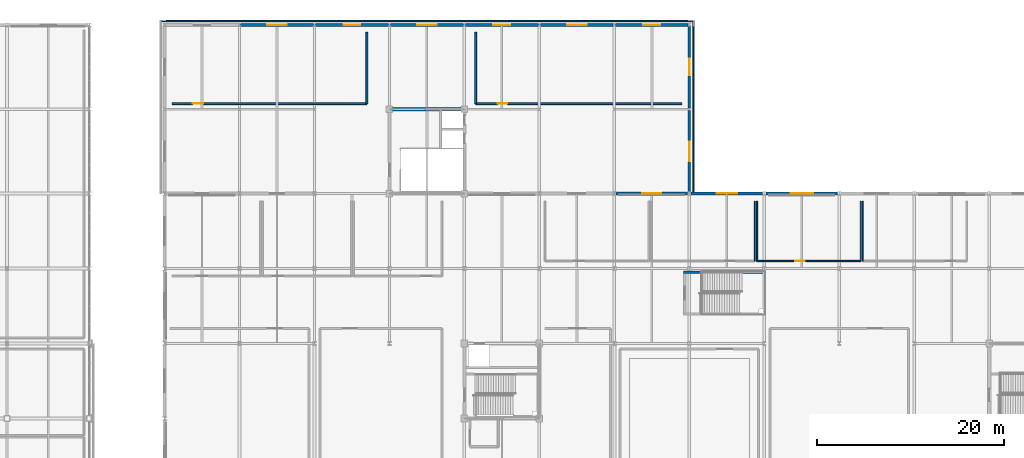
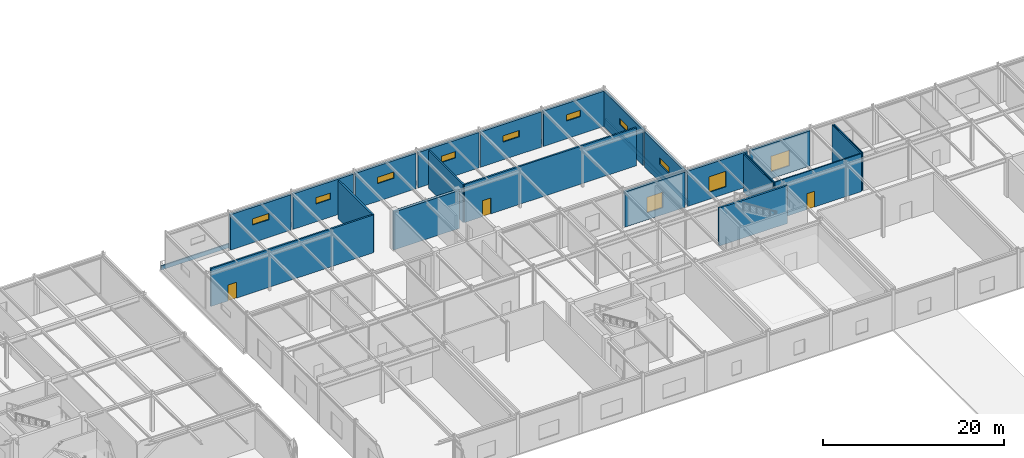
# One storey, part 93 of 108: 24 walls, 11 windows, 3 doors, 14 openings.
"""IFC4 building model written with IfcOpenShell, lengths in metres."""

from ifc_helpers import new_model, si_unit, direction, frame, frame_2d, origin, place, context, subcontext, project, spatial, rectangle, extrude, material, layer, layer_set, type_object, element, fill, save


model = new_model("IFC4")

# Units and contexts
model_context = context("Model", 3, precision=1e-05, world=origin(), true_north=direction((0.0, 1.0)))
body_context = subcontext(model_context, "Body", "Model", "MODEL_VIEW")
ifc_project = project(units=[si_unit("LENGTHUNIT", "METRE"), si_unit("AREAUNIT", "SQUARE_METRE"), si_unit("VOLUMEUNIT", "CUBIC_METRE"), si_unit("PLANEANGLEUNIT", "RADIAN"), si_unit("MASSUNIT", "GRAM", prefix="KILO")], contexts=[model_context])

# Site, building, storey
site_placement = place(None, origin())
site = spatial("IfcSite", under=ifc_project, at=site_placement, CompositionType="ELEMENT")
building_placement = place(site_placement, origin())
building = spatial("IfcBuilding", under=site, at=building_placement, Name="Zhaolan Boulevard Law Courts", CompositionType="ELEMENT")
storey_placement = place(building_placement, frame((0.0, 0.0, 10.800048828125)))
storey = spatial("IfcBuildingStorey", under=building, at=storey_placement, Name="L02", CompositionType="ELEMENT", Elevation=10.800048828125)

# Walls
ifc_material_1 = material(Name="Concrete C50", Category="concrete")
ifc_layer_1 = layer(ifc_material_1, 0.35009765625)
ifc_layer_set_1 = layer_set([ifc_layer_1])
wall_type_1 = type_object("IfcWallType", Name="CORE SHEAR WALL 350", PredefinedType="SHEAR", material=ifc_layer_set_1)
wall_1_placement = place(storey_placement, frame((84.175048828125, 103.0, 0.0), z_axis=(0.0, 0.0, 1.0), x_axis=(-1.0, 0.0, 0.0)))
element("IfcWall", 1, at=wall_1_placement, inside=storey, type_object=wall_type_1, Name="Core Shear Wall CW-C1-L02N", PredefinedType="SHEAR", context=body_context, shape_type="SweptSolid", body=[
    extrude(rectangle(XDim=8.35009765625, YDim=0.35009765625, at=frame_2d((4.175048828125, 0.0))), origin(), (0.0, 0.0, 1.0), 5.119873046875),
])
ifc_material_2 = material(Name="Concrete C40", Category="concrete")
ifc_layer_2 = layer(ifc_material_2, 0.159912109375)
ifc_layer_set_2 = layer_set([ifc_layer_2])
wall_type_2 = type_object("IfcWallType", Name="EXT WALL ARCH CLAD160", PredefinedType="SOLIDWALL", material=ifc_layer_set_2)
wall_2_placement = place(storey_placement, frame((108.419921875, 112.419921875, 0.0), z_axis=(0.0, 0.0, 1.0), x_axis=(-1.0, 0.0, 0.0)))
element("IfcWall", 2, at=wall_2_placement, inside=storey, type_object=wall_type_2, Name="Custody Concrete Spandrel Band CBW-256", PredefinedType="SOLIDWALL", context=body_context, shape_type="SweptSolid", body=[
    extrude(rectangle(XDim=56.83984375, YDim=0.159912109375, at=frame_2d((28.419921875, 0.0))), origin(), (0.0, 0.0, 1.0), 0.550048828125),
])
wall_3_placement = place(storey_placement, frame((108.419921875, 94.0, 0.0), z_axis=(0.0, 0.0, 1.0), x_axis=(0.0, 1.0, 0.0)))
element("IfcWall", 3, at=wall_3_placement, inside=storey, type_object=wall_type_2, Name="Custody Concrete Spandrel Band CBW-257", PredefinedType="SOLIDWALL", context=body_context, shape_type="SweptSolid", body=[
    extrude(rectangle(XDim=18.419921875, YDim=0.159912109375, at=frame_2d((9.2099609375, 0.0))), origin(), (0.0, 0.0, 1.0), 0.550048828125),
])

# Wall, opening, window
ifc_material_3 = material(Name="Concrete C40", Category="concrete")
ifc_layer_3 = layer(ifc_material_3, 0.300048828125)
ifc_layer_set_3 = layer_set([ifc_layer_3])
wall_type_3 = type_object("IfcWallType", Name="EXT WALL CONCRETE300", PredefinedType="SOLIDWALL", material=ifc_layer_set_3)
wall_4_placement = place(storey_placement, frame((107.8291015625, 94.0, 0.0), z_axis=(0.0, 0.0, 1.0), x_axis=(-1.0, 0.0, 0.0)))
wall_4 = element("IfcWall", 4, at=wall_4_placement, inside=storey, type_object=wall_type_3, Name="Exterior Wall EW-L02-254", PredefinedType="SOLIDWALL", context=body_context, shape_type="SweptSolid", body=[
    extrude(rectangle(XDim=7.658203125, YDim=0.300048828125, at=frame_2d((3.8291015625, 0.0))), origin(), (0.0, 0.0, 1.0), 4.762939453125),
])
opening_1_placement = place(wall_4_placement, frame((2.8291015625, 0.0, 0.949951171875)))
opening_1 = element("IfcOpeningElement", 5, at=opening_1_placement, cuts=wall_4, Name="Opening WIN-L02-111", PredefinedType="OPENING", context=body_context, shape_type="SweptSolid", body=[
    extrude(rectangle(XDim=2.0, YDim=2.10009765625, at=frame_2d((1.0, 1.050048828125))), frame((0.0, 0.159912109375, 0.0), z_axis=(0.0, -1.0, 0.0), x_axis=(1.0, 0.0, 0.0)), (0.0, 0.0, 1.0), 0.320068359375),
])
ifc_material_4 = material(Name="Thermally broken aluminium and low-E glazing", Category="aluminium")
window_type_1 = type_object("IfcWindowType", Name="WINDOW 2000X2100", PartitioningType="DOUBLE_PANEL_VERTICAL", PredefinedType="WINDOW", material=ifc_material_4)
window_1_placement = place(opening_1_placement, origin())
window_1 = element("IfcWindow", 6, at=window_1_placement, inside=storey, type_object=window_type_1, Name="Exterior Window WIN-L02-111", OverallHeight=2.10009765625, OverallWidth=2.0, PartitioningType="SINGLE_PANEL", PredefinedType="WINDOW", context=body_context, shape_type="SweptSolid", body=[
    extrude(rectangle(XDim=2.0, YDim=2.10009765625, at=frame_2d((1.0, 1.050048828125))), frame((0.0, 0.030029296875, 0.0), z_axis=(0.0, -1.0, 0.0), x_axis=(1.0, 0.0, 0.0)), (0.0, 0.0, 1.0), 0.06005859375),
])
fill(opening_1, window_1)

wall_5_placement = place(storey_placement, frame((115.8291015625, 94.0, 0.0), z_axis=(0.0, 0.0, 1.0), x_axis=(-1.0, 0.0, 0.0)))
wall_5 = element("IfcWall", 7, at=wall_5_placement, inside=storey, type_object=wall_type_3, Name="Exterior Wall EW-L02-255", PredefinedType="SOLIDWALL", context=body_context, shape_type="SweptSolid", body=[
    extrude(rectangle(XDim=7.658203125, YDim=0.300048828125, at=frame_2d((3.8291015625, 0.0))), origin(), (0.0, 0.0, 1.0), 4.762939453125),
])
opening_2_placement = place(wall_5_placement, frame((2.72900390625, 0.0, 0.949951171875)))
opening_2 = element("IfcOpeningElement", 8, at=opening_2_placement, cuts=wall_5, Name="Opening WIN-L02-112", PredefinedType="OPENING", context=body_context, shape_type="SweptSolid", body=[
    extrude(rectangle(XDim=2.199951171875, YDim=2.10009765625, at=frame_2d((1.10009765625, 1.050048828125))), frame((0.0, 0.159912109375, 0.0), z_axis=(0.0, -1.0, 0.0), x_axis=(1.0, 0.0, 0.0)), (0.0, 0.0, 1.0), 0.320068359375),
])
ifc_material_5 = material(Name="Thermally broken aluminium and low-E glazing", Category="aluminium")
window_type_2 = type_object("IfcWindowType", Name="WINDOW 2200X2100", PartitioningType="DOUBLE_PANEL_VERTICAL", PredefinedType="WINDOW", material=ifc_material_5)
window_2_placement = place(opening_2_placement, origin())
window_2 = element("IfcWindow", 9, at=window_2_placement, inside=storey, type_object=window_type_2, Name="Exterior Window WIN-L02-112", OverallHeight=2.10009765625, OverallWidth=2.199951171875, PartitioningType="SINGLE_PANEL", PredefinedType="WINDOW", context=body_context, shape_type="SweptSolid", body=[
    extrude(rectangle(XDim=2.199951171875, YDim=2.10009765625, at=frame_2d((1.10009765625, 1.050048828125))), frame((0.0, 0.030029296875, 0.0), z_axis=(0.0, -1.0, 0.0), x_axis=(1.0, 0.0, 0.0)), (0.0, 0.0, 1.0), 0.06005859375),
])
fill(opening_2, window_2)

wall_6_placement = place(storey_placement, frame((123.8291015625, 94.0, 0.0), z_axis=(0.0, 0.0, 1.0), x_axis=(-1.0, 0.0, 0.0)))
wall_6 = element("IfcWall", 10, at=wall_6_placement, inside=storey, type_object=wall_type_3, Name="Exterior Wall EW-L02-256", PredefinedType="SOLIDWALL", context=body_context, shape_type="SweptSolid", body=[
    extrude(rectangle(XDim=7.658203125, YDim=0.300048828125, at=frame_2d((3.8291015625, 0.0))), origin(), (0.0, 0.0, 1.0), 4.762939453125),
])
opening_3_placement = place(wall_6_placement, frame((2.62890625, 0.0, 0.949951171875)))
opening_3 = element("IfcOpeningElement", 11, at=opening_3_placement, cuts=wall_6, Name="Opening WIN-L02-113", PredefinedType="OPENING", context=body_context, shape_type="SweptSolid", body=[
    extrude(rectangle(XDim=2.39990234375, YDim=2.10009765625, at=frame_2d((1.199951171875, 1.050048828125))), frame((0.0, 0.159912109375, 0.0), z_axis=(0.0, -1.0, 0.0), x_axis=(1.0, 0.0, 0.0)), (0.0, 0.0, 1.0), 0.320068359375),
])
ifc_material_6 = material(Name="Thermally broken aluminium and low-E glazing", Category="aluminium")
window_type_3 = type_object("IfcWindowType", Name="WINDOW 2400X2100", PartitioningType="DOUBLE_PANEL_VERTICAL", PredefinedType="WINDOW", material=ifc_material_6)
window_3_placement = place(opening_3_placement, origin())
window_3 = element("IfcWindow", 12, at=window_3_placement, inside=storey, type_object=window_type_3, Name="Exterior Window WIN-L02-113", OverallHeight=2.10009765625, OverallWidth=2.39990234375, PartitioningType="SINGLE_PANEL", PredefinedType="WINDOW", context=body_context, shape_type="SweptSolid", body=[
    extrude(rectangle(XDim=2.39990234375, YDim=2.10009765625, at=frame_2d((1.199951171875, 1.050048828125))), frame((0.0, 0.030029296875, 0.0), z_axis=(0.0, -1.0, 0.0), x_axis=(1.0, 0.0, 0.0)), (0.0, 0.0, 1.0), 0.06005859375),
])
fill(opening_3, window_3)

wall_7_placement = place(storey_placement, frame((67.87890625, 112.0, 0.0), z_axis=(0.0, 0.0, 1.0), x_axis=(-1.0, 0.0, 0.0)))
wall_7 = element("IfcWall", 13, at=wall_7_placement, inside=storey, type_object=wall_type_3, Name="Exterior Wall EW-L02-329", PredefinedType="SOLIDWALL", context=body_context, shape_type="SweptSolid", body=[
    extrude(rectangle(XDim=7.7578125, YDim=0.300048828125, at=frame_2d((3.87890625, 0.0))), origin(), (0.0, 0.0, 1.0), 4.782958984375),
])
opening_4_placement = place(wall_7_placement, frame((2.8291015625, 0.0, 2.39990234375)))
opening_4 = element("IfcOpeningElement", 14, at=opening_4_placement, cuts=wall_7, Name="Opening WIN-L02-184", PredefinedType="OPENING", context=body_context, shape_type="SweptSolid", body=[
    extrude(rectangle(XDim=2.10009765625, YDim=0.85009765625, at=frame_2d((1.050048828125, 0.425048828125))), frame((0.0, 0.159912109375, 0.0), z_axis=(0.0, -1.0, 0.0), x_axis=(1.0, 0.0, 0.0)), (0.0, 0.0, 1.0), 0.320068359375),
])
ifc_material_7 = material(Name="Thermally broken aluminium and low-E glazing", Category="aluminium")
window_type_4 = type_object("IfcWindowType", Name="WINDOW 2100X850", PartitioningType="DOUBLE_PANEL_VERTICAL", PredefinedType="WINDOW", material=ifc_material_7)
window_4_placement = place(opening_4_placement, origin())
window_4 = element("IfcWindow", 15, at=window_4_placement, inside=storey, type_object=window_type_4, Name="Exterior Window WIN-L02-184", OverallHeight=0.85009765625, OverallWidth=2.10009765625, PartitioningType="SINGLE_PANEL", PredefinedType="WINDOW", context=body_context, shape_type="SweptSolid", body=[
    extrude(rectangle(XDim=2.10009765625, YDim=0.85009765625, at=frame_2d((1.050048828125, 0.425048828125))), frame((0.0, 0.030029296875, 0.0), z_axis=(0.0, -1.0, 0.0), x_axis=(1.0, 0.0, 0.0)), (0.0, 0.0, 1.0), 0.06005859375),
])
fill(opening_4, window_4)

wall_8_placement = place(storey_placement, frame((75.87890625, 112.0, 0.0), z_axis=(0.0, 0.0, 1.0), x_axis=(-1.0, 0.0, 0.0)))
wall_8 = element("IfcWall", 16, at=wall_8_placement, inside=storey, type_object=wall_type_3, Name="Exterior Wall EW-L02-330", PredefinedType="SOLIDWALL", context=body_context, shape_type="SweptSolid", body=[
    extrude(rectangle(XDim=7.7578125, YDim=0.300048828125, at=frame_2d((3.87890625, 0.0))), origin(), (0.0, 0.0, 1.0), 4.782958984375),
])
opening_5_placement = place(wall_8_placement, frame((2.97900390625, 0.0, 2.39990234375)))
opening_5 = element("IfcOpeningElement", 17, at=opening_5_placement, cuts=wall_8, Name="Opening WIN-L02-185", PredefinedType="OPENING", context=body_context, shape_type="SweptSolid", body=[
    extrude(rectangle(XDim=1.800048828125, YDim=0.85009765625, at=frame_2d((0.89990234375, 0.425048828125))), frame((0.0, 0.159912109375, 0.0), z_axis=(0.0, -1.0, 0.0), x_axis=(1.0, 0.0, 0.0)), (0.0, 0.0, 1.0), 0.320068359375),
])
ifc_material_8 = material(Name="Thermally broken aluminium and low-E glazing", Category="aluminium")
window_type_5 = type_object("IfcWindowType", Name="WINDOW 1800X850", PartitioningType="DOUBLE_PANEL_VERTICAL", PredefinedType="WINDOW", material=ifc_material_8)
window_5_placement = place(opening_5_placement, origin())
window_5 = element("IfcWindow", 18, at=window_5_placement, inside=storey, type_object=window_type_5, Name="Exterior Window WIN-L02-185", OverallHeight=0.85009765625, OverallWidth=1.800048828125, PartitioningType="SINGLE_PANEL", PredefinedType="WINDOW", context=body_context, shape_type="SweptSolid", body=[
    extrude(rectangle(XDim=1.800048828125, YDim=0.85009765625, at=frame_2d((0.89990234375, 0.425048828125))), frame((0.0, 0.030029296875, 0.0), z_axis=(0.0, -1.0, 0.0), x_axis=(1.0, 0.0, 0.0)), (0.0, 0.0, 1.0), 0.06005859375),
])
fill(opening_5, window_5)

wall_9_placement = place(storey_placement, frame((83.87890625, 112.0, 0.0), z_axis=(0.0, 0.0, 1.0), x_axis=(-1.0, 0.0, 0.0)))
wall_9 = element("IfcWall", 19, at=wall_9_placement, inside=storey, type_object=wall_type_3, Name="Exterior Wall EW-L02-331", PredefinedType="SOLIDWALL", context=body_context, shape_type="SweptSolid", body=[
    extrude(rectangle(XDim=7.7578125, YDim=0.300048828125, at=frame_2d((3.87890625, 0.0))), origin(), (0.0, 0.0, 1.0), 4.782958984375),
])
opening_6_placement = place(wall_9_placement, frame((2.8291015625, 0.0, 2.39990234375)))
opening_6 = element("IfcOpeningElement", 20, at=opening_6_placement, cuts=wall_9, Name="Opening WIN-L02-186", PredefinedType="OPENING", context=body_context, shape_type="SweptSolid", body=[
    extrude(rectangle(XDim=2.10009765625, YDim=0.85009765625, at=frame_2d((1.050048828125, 0.425048828125))), frame((0.0, 0.159912109375, 0.0), z_axis=(0.0, -1.0, 0.0), x_axis=(1.0, 0.0, 0.0)), (0.0, 0.0, 1.0), 0.320068359375),
])
window_6_placement = place(opening_6_placement, origin())
window_6 = element("IfcWindow", 21, at=window_6_placement, inside=storey, type_object=window_type_4, Name="Exterior Window WIN-L02-186", OverallHeight=0.85009765625, OverallWidth=2.10009765625, PartitioningType="SINGLE_PANEL", PredefinedType="WINDOW", context=body_context, shape_type="SweptSolid", body=[
    extrude(rectangle(XDim=2.10009765625, YDim=0.85009765625, at=frame_2d((1.050048828125, 0.425048828125))), frame((0.0, 0.030029296875, 0.0), z_axis=(0.0, -1.0, 0.0), x_axis=(1.0, 0.0, 0.0)), (0.0, 0.0, 1.0), 0.06005859375),
])
fill(opening_6, window_6)

wall_10_placement = place(storey_placement, frame((91.87890625, 112.0, 0.0), z_axis=(0.0, 0.0, 1.0), x_axis=(-1.0, 0.0, 0.0)))
wall_10 = element("IfcWall", 22, at=wall_10_placement, inside=storey, type_object=wall_type_3, Name="Exterior Wall EW-L02-332", PredefinedType="SOLIDWALL", context=body_context, shape_type="SweptSolid", body=[
    extrude(rectangle(XDim=7.7578125, YDim=0.300048828125, at=frame_2d((3.87890625, 0.0))), origin(), (0.0, 0.0, 1.0), 4.782958984375),
])
opening_7_placement = place(wall_10_placement, frame((2.97900390625, 0.0, 2.39990234375)))
opening_7 = element("IfcOpeningElement", 23, at=opening_7_placement, cuts=wall_10, Name="Opening WIN-L02-187", PredefinedType="OPENING", context=body_context, shape_type="SweptSolid", body=[
    extrude(rectangle(XDim=1.800048828125, YDim=0.85009765625, at=frame_2d((0.89990234375, 0.425048828125))), frame((0.0, 0.159912109375, 0.0), z_axis=(0.0, -1.0, 0.0), x_axis=(1.0, 0.0, 0.0)), (0.0, 0.0, 1.0), 0.320068359375),
])
window_7_placement = place(opening_7_placement, origin())
window_7 = element("IfcWindow", 24, at=window_7_placement, inside=storey, type_object=window_type_5, Name="Exterior Window WIN-L02-187", OverallHeight=0.85009765625, OverallWidth=1.800048828125, PartitioningType="SINGLE_PANEL", PredefinedType="WINDOW", context=body_context, shape_type="SweptSolid", body=[
    extrude(rectangle(XDim=1.800048828125, YDim=0.85009765625, at=frame_2d((0.89990234375, 0.425048828125))), frame((0.0, 0.030029296875, 0.0), z_axis=(0.0, -1.0, 0.0), x_axis=(1.0, 0.0, 0.0)), (0.0, 0.0, 1.0), 0.06005859375),
])
fill(opening_7, window_7)

wall_11_placement = place(storey_placement, frame((99.87890625, 112.0, 0.0), z_axis=(0.0, 0.0, 1.0), x_axis=(-1.0, 0.0, 0.0)))
wall_11 = element("IfcWall", 25, at=wall_11_placement, inside=storey, type_object=wall_type_3, Name="Exterior Wall EW-L02-333", PredefinedType="SOLIDWALL", context=body_context, shape_type="SweptSolid", body=[
    extrude(rectangle(XDim=7.7578125, YDim=0.300048828125, at=frame_2d((3.87890625, 0.0))), origin(), (0.0, 0.0, 1.0), 4.782958984375),
])
opening_8_placement = place(wall_11_placement, frame((2.8291015625, 0.0, 2.39990234375)))
opening_8 = element("IfcOpeningElement", 26, at=opening_8_placement, cuts=wall_11, Name="Opening WIN-L02-188", PredefinedType="OPENING", context=body_context, shape_type="SweptSolid", body=[
    extrude(rectangle(XDim=2.10009765625, YDim=0.85009765625, at=frame_2d((1.050048828125, 0.425048828125))), frame((0.0, 0.159912109375, 0.0), z_axis=(0.0, -1.0, 0.0), x_axis=(1.0, 0.0, 0.0)), (0.0, 0.0, 1.0), 0.320068359375),
])
window_8_placement = place(opening_8_placement, origin())
window_8 = element("IfcWindow", 27, at=window_8_placement, inside=storey, type_object=window_type_4, Name="Exterior Window WIN-L02-188", OverallHeight=0.85009765625, OverallWidth=2.10009765625, PartitioningType="SINGLE_PANEL", PredefinedType="WINDOW", context=body_context, shape_type="SweptSolid", body=[
    extrude(rectangle(XDim=2.10009765625, YDim=0.85009765625, at=frame_2d((1.050048828125, 0.425048828125))), frame((0.0, 0.030029296875, 0.0), z_axis=(0.0, -1.0, 0.0), x_axis=(1.0, 0.0, 0.0)), (0.0, 0.0, 1.0), 0.06005859375),
])
fill(opening_8, window_8)

wall_12_placement = place(storey_placement, frame((107.87890625, 112.0, 0.0), z_axis=(0.0, 0.0, 1.0), x_axis=(-1.0, 0.0, 0.0)))
wall_12 = element("IfcWall", 28, at=wall_12_placement, inside=storey, type_object=wall_type_3, Name="Exterior Wall EW-L02-334", PredefinedType="SOLIDWALL", context=body_context, shape_type="SweptSolid", body=[
    extrude(rectangle(XDim=7.7578125, YDim=0.300048828125, at=frame_2d((3.87890625, 0.0))), origin(), (0.0, 0.0, 1.0), 4.782958984375),
])
opening_9_placement = place(wall_12_placement, frame((2.97900390625, 0.0, 2.39990234375)))
opening_9 = element("IfcOpeningElement", 29, at=opening_9_placement, cuts=wall_12, Name="Opening WIN-L02-189", PredefinedType="OPENING", context=body_context, shape_type="SweptSolid", body=[
    extrude(rectangle(XDim=1.800048828125, YDim=0.85009765625, at=frame_2d((0.89990234375, 0.425048828125))), frame((0.0, 0.159912109375, 0.0), z_axis=(0.0, -1.0, 0.0), x_axis=(1.0, 0.0, 0.0)), (0.0, 0.0, 1.0), 0.320068359375),
])
window_9_placement = place(opening_9_placement, origin())
window_9 = element("IfcWindow", 30, at=window_9_placement, inside=storey, type_object=window_type_5, Name="Exterior Window WIN-L02-189", OverallHeight=0.85009765625, OverallWidth=1.800048828125, PartitioningType="SINGLE_PANEL", PredefinedType="WINDOW", context=body_context, shape_type="SweptSolid", body=[
    extrude(rectangle(XDim=1.800048828125, YDim=0.85009765625, at=frame_2d((0.89990234375, 0.425048828125))), frame((0.0, 0.030029296875, 0.0), z_axis=(0.0, -1.0, 0.0), x_axis=(1.0, 0.0, 0.0)), (0.0, 0.0, 1.0), 0.06005859375),
])
fill(opening_9, window_9)

wall_13_placement = place(storey_placement, frame((108.0, 94.1708984375, 0.0), z_axis=(0.0, 0.0, 1.0), x_axis=(0.0, 1.0, 0.0)))
wall_13 = element("IfcWall", 31, at=wall_13_placement, inside=storey, type_object=wall_type_3, Name="Exterior Wall EW-L02-337", PredefinedType="SOLIDWALL", context=body_context, shape_type="SweptSolid", body=[
    extrude(rectangle(XDim=8.7080078125, YDim=0.300048828125, at=frame_2d((4.35400390625, 0.0))), origin(), (0.0, 0.0, 1.0), 4.782958984375),
])
opening_10_placement = place(wall_13_placement, frame((3.279052734375, 0.0, 2.39990234375)))
opening_10 = element("IfcOpeningElement", 32, at=opening_10_placement, cuts=wall_13, Name="Opening WIN-L02-192", PredefinedType="OPENING", context=body_context, shape_type="SweptSolid", body=[
    extrude(rectangle(XDim=2.10009765625, YDim=0.85009765625, at=frame_2d((1.050048828125, 0.425048828125))), frame((0.0, 0.159912109375, 0.0), z_axis=(0.0, -1.0, 0.0), x_axis=(1.0, 0.0, 0.0)), (0.0, 0.0, 1.0), 0.320068359375),
])
window_10_placement = place(opening_10_placement, origin())
window_10 = element("IfcWindow", 33, at=window_10_placement, inside=storey, type_object=window_type_4, Name="Exterior Window WIN-L02-192", OverallHeight=0.85009765625, OverallWidth=2.10009765625, PartitioningType="SINGLE_PANEL", PredefinedType="WINDOW", context=body_context, shape_type="SweptSolid", body=[
    extrude(rectangle(XDim=2.10009765625, YDim=0.85009765625, at=frame_2d((1.050048828125, 0.425048828125))), frame((0.0, 0.030029296875, 0.0), z_axis=(0.0, -1.0, 0.0), x_axis=(1.0, 0.0, 0.0)), (0.0, 0.0, 1.0), 0.06005859375),
])
fill(opening_10, window_10)

wall_14_placement = place(storey_placement, frame((108.0, 103.12109375, 0.0), z_axis=(0.0, 0.0, 1.0), x_axis=(0.0, 1.0, 0.0)))
wall_14 = element("IfcWall", 34, at=wall_14_placement, inside=storey, type_object=wall_type_3, Name="Exterior Wall EW-L02-338", PredefinedType="SOLIDWALL", context=body_context, shape_type="SweptSolid", body=[
    extrude(rectangle(XDim=8.7578125, YDim=0.300048828125, at=frame_2d((4.37890625, 0.0))), origin(), (0.0, 0.0, 1.0), 4.782958984375),
])
opening_11_placement = place(wall_14_placement, frame((3.47900390625, 0.0, 2.39990234375)))
opening_11 = element("IfcOpeningElement", 35, at=opening_11_placement, cuts=wall_14, Name="Opening WIN-L02-193", PredefinedType="OPENING", context=body_context, shape_type="SweptSolid", body=[
    extrude(rectangle(XDim=1.800048828125, YDim=0.85009765625, at=frame_2d((0.89990234375, 0.425048828125))), frame((0.0, 0.159912109375, 0.0), z_axis=(0.0, -1.0, 0.0), x_axis=(1.0, 0.0, 0.0)), (0.0, 0.0, 1.0), 0.320068359375),
])
window_11_placement = place(opening_11_placement, origin())
window_11 = element("IfcWindow", 36, at=window_11_placement, inside=storey, type_object=window_type_5, Name="Exterior Window WIN-L02-193", OverallHeight=0.85009765625, OverallWidth=1.800048828125, PartitioningType="SINGLE_PANEL", PredefinedType="WINDOW", context=body_context, shape_type="SweptSolid", body=[
    extrude(rectangle(XDim=1.800048828125, YDim=0.85009765625, at=frame_2d((0.89990234375, 0.425048828125))), frame((0.0, 0.030029296875, 0.0), z_axis=(0.0, -1.0, 0.0), x_axis=(1.0, 0.0, 0.0)), (0.0, 0.0, 1.0), 0.06005859375),
])
fill(opening_11, window_11)

# Wall, opening, door
ifc_material_9 = material(Name="Concrete C40", Category="concrete")
ifc_layer_4 = layer(ifc_material_9, 0.2099609375)
ifc_layer_set_4 = layer_set([ifc_layer_4])
wall_type_4 = type_object("IfcWallType", Name="PART WALL CUSTODY210", PredefinedType="PARTITIONING", material=ifc_layer_set_4)
wall_15_placement = place(storey_placement, frame((52.800048828125, 103.60009765625, 0.0), z_axis=(0.0, 0.0, 1.0), x_axis=(1.0, 0.0, 0.0)))
wall_15 = element("IfcWall", 37, at=wall_15_placement, inside=storey, type_object=wall_type_4, Name="Interior Partition PW-L02-517", PredefinedType="PARTITIONING", context=body_context, shape_type="SweptSolid", body=[
    extrude(rectangle(XDim=20.800048828125, YDim=0.2099609375, at=frame_2d((10.39990234375, 0.0))), origin(), (0.0, 0.0, 1.0), 5.119873046875),
])
opening_12_placement = place(wall_15_placement, frame((2.2099609375, 0.0, 0.0)))
opening_12 = element("IfcOpeningElement", 38, at=opening_12_placement, cuts=wall_15, Name="Opening CD-L02-161", PredefinedType="OPENING", context=body_context, shape_type="SweptSolid", body=[
    extrude(rectangle(XDim=1.10009765625, YDim=2.14990234375, at=frame_2d((0.550048828125, 1.074951171875))), frame((0.0, 0.114990234375, 0.0), z_axis=(0.0, -1.0, 0.0), x_axis=(1.0, 0.0, 0.0)), (0.0, 0.0, 1.0), 0.22998046875),
])
ifc_material_10 = material(Name="Fire-rated steel acoustic door", Category="steel")
door_type_1 = type_object("IfcDoorType", Name="CUSTODY DOOR 1100X2150 L", OperationType="SINGLE_SWING_LEFT", PredefinedType="DOOR", material=ifc_material_10)
door_1_placement = place(opening_12_placement, origin())
door_1 = element("IfcDoor", 39, at=door_1_placement, inside=storey, type_object=door_type_1, Name="Door CD-L02-161 (Custody Courtroom Staging Suite)", OperationType="SINGLE_SWING_LEFT", OverallHeight=2.14990234375, OverallWidth=1.10009765625, PredefinedType="DOOR", context=body_context, shape_type="SweptSolid", body=[
    extrude(rectangle(XDim=1.10009765625, YDim=2.14990234375, at=frame_2d((0.550048828125, 1.074951171875))), frame((0.0, 0.02490234375, 0.0), z_axis=(0.0, -1.0, 0.0), x_axis=(1.0, 0.0, 0.0)), (0.0, 0.0, 1.0), 0.050048828125),
])
fill(opening_12, door_1)

# Wall
wall_16_placement = place(storey_placement, frame((73.60009765625, 103.60009765625, 0.0), z_axis=(0.0, 0.0, 1.0), x_axis=(0.0, 1.0, 0.0)))
element("IfcWall", 40, at=wall_16_placement, inside=storey, type_object=wall_type_4, Name="Interior Partition PW-L02-518", PredefinedType="PARTITIONING", context=body_context, shape_type="SweptSolid", body=[
    extrude(rectangle(XDim=7.599853515625, YDim=0.2099609375, at=frame_2d((3.7998046875, 0.0))), origin(), (0.0, 0.0, 1.0), 5.119873046875),
])

# Wall, opening, door
wall_17_placement = place(storey_placement, frame((85.199951171875, 103.60009765625, 0.0), z_axis=(0.0, 0.0, 1.0), x_axis=(1.0, 0.0, 0.0)))
wall_17 = element("IfcWall", 41, at=wall_17_placement, inside=storey, type_object=wall_type_4, Name="Interior Partition PW-L02-519", PredefinedType="PARTITIONING", context=body_context, shape_type="SweptSolid", body=[
    extrude(rectangle(XDim=22.0, YDim=0.2099609375, at=frame_2d((11.0, 0.0))), origin(), (0.0, 0.0, 1.0), 5.119873046875),
])
opening_13_placement = place(wall_17_placement, frame((2.3349609375, 0.0, 0.0)))
opening_13 = element("IfcOpeningElement", 42, at=opening_13_placement, cuts=wall_17, Name="Opening CD-L02-162", PredefinedType="OPENING", context=body_context, shape_type="SweptSolid", body=[
    extrude(rectangle(XDim=1.050048828125, YDim=2.14990234375, at=frame_2d((0.52490234375, 1.074951171875))), frame((0.0, 0.114990234375, 0.0), z_axis=(0.0, -1.0, 0.0), x_axis=(1.0, 0.0, 0.0)), (0.0, 0.0, 1.0), 0.22998046875),
])
ifc_material_11 = material(Name="Fire-rated steel acoustic door", Category="steel")
door_type_2 = type_object("IfcDoorType", Name="CUSTODY DOOR 1050X2150 R", OperationType="SINGLE_SWING_RIGHT", PredefinedType="DOOR", material=ifc_material_11)
door_2_placement = place(opening_13_placement, origin())
door_2 = element("IfcDoor", 43, at=door_2_placement, inside=storey, type_object=door_type_2, Name="Door CD-L02-162 (Custody Bailiff Security Suite)", OperationType="SINGLE_SWING_RIGHT", OverallHeight=2.14990234375, OverallWidth=1.050048828125, PredefinedType="DOOR", context=body_context, shape_type="SweptSolid", body=[
    extrude(rectangle(XDim=1.050048828125, YDim=2.14990234375, at=frame_2d((0.52490234375, 1.074951171875))), frame((0.0, 0.02490234375, 0.0), z_axis=(0.0, -1.0, 0.0), x_axis=(1.0, 0.0, 0.0)), (0.0, 0.0, 1.0), 0.050048828125),
])
fill(opening_13, door_2)

# Walls
wall_18_placement = place(storey_placement, frame((85.199951171875, 111.199951171875, 0.0), z_axis=(0.0, 0.0, 1.0), x_axis=(0.0, -1.0, 0.0)))
element("IfcWall", 44, at=wall_18_placement, inside=storey, type_object=wall_type_4, Name="Interior Partition PW-L02-520", PredefinedType="PARTITIONING", context=body_context, shape_type="SweptSolid", body=[
    extrude(rectangle(XDim=7.599853515625, YDim=0.2099609375, at=frame_2d((3.7998046875, 0.0))), origin(), (0.0, 0.0, 1.0), 5.119873046875),
])
ifc_material_12 = material(Name="Gypsum board stud partition")
ifc_layer_5 = layer(ifc_material_12, 0.1201171875)
ifc_layer_set_5 = layer_set([ifc_layer_5])
wall_type_5 = type_object("IfcWallType", Name="PART WALL LIGHT120", PredefinedType="PARTITIONING", material=ifc_layer_set_5)
for number, where, z_axis, x_axis, name in (
    (45, (114.989990234375, 86.800048828125, 0.0), (0.0, 0.0, 1.0), (0.0, 1.0, 0.0), "Interior Partition PW-L02-476"),
    (46, (126.514892578125, 93.199951171875, 0.0), (0.0, 0.0, 1.0), (0.0, -1.0, 0.0), "Interior Partition PW-L02-481"),
):
    element("IfcWall", number, at=place(storey_placement, frame(where, z_axis=z_axis, x_axis=x_axis)), inside=storey, type_object=wall_type_5, Name=name, PredefinedType="PARTITIONING", context=body_context, shape_type="SweptSolid", body=[
        extrude(rectangle(XDim=6.39990234375, YDim=0.1201171875, at=frame_2d((3.199951171875, 0.0))), origin(), (0.0, 0.0, 1.0), 5.119873046875),
    ])

# Wall, opening, door
ifc_material_13 = material(Name="Fire-rated gypsum stud partition")
ifc_layer_6 = layer(ifc_material_13, 0.139892578125)
ifc_layer_set_6 = layer_set([ifc_layer_6])
wall_type_6 = type_object("IfcWallType", Name="PART WALL OFFICE140", PredefinedType="PARTITIONING", material=ifc_layer_set_6)
wall_19_placement = place(storey_placement, frame((115.2099609375, 86.800048828125, 0.0), z_axis=(0.0, 0.0, 1.0), x_axis=(1.0, 0.0, 0.0)))
wall_19 = element("IfcWall", 47, at=wall_19_placement, inside=storey, type_object=wall_type_6, Name="Interior Partition PW-L02-477", PredefinedType="PARTITIONING", context=body_context, shape_type="SweptSolid", body=[
    extrude(rectangle(XDim=11.0849609375, YDim=0.139892578125, at=frame_2d((5.54248046875, 0.0))), origin(), (0.0, 0.0, 1.0), 5.119873046875),
])
opening_14_placement = place(wall_19_placement, frame((4.093994140625, 0.0, 0.0)))
opening_14 = element("IfcOpeningElement", 48, at=opening_14_placement, cuts=wall_19, Name="Opening JD-L02-150", PredefinedType="OPENING", context=body_context, shape_type="SweptSolid", body=[
    extrude(rectangle(XDim=1.0, YDim=2.14990234375, at=frame_2d((0.5, 1.074951171875))), frame((0.0, 0.079833984375, 0.0), z_axis=(0.0, -1.0, 0.0), x_axis=(1.0, 0.0, 0.0)), (0.0, 0.0, 1.0), 0.159912109375),
])
ifc_material_14 = material(Name="Solid-core acoustic oak veneer door")
door_type_3 = type_object("IfcDoorType", Name="CHAMBER DOOR 1000X2150 L", OperationType="SINGLE_SWING_LEFT", PredefinedType="DOOR", material=ifc_material_14)
door_3_placement = place(opening_14_placement, origin())
door_3 = element("IfcDoor", 49, at=door_3_placement, inside=storey, type_object=door_type_3, Name="Door JD-L02-150 (Judges' Chambers L02-03)", OperationType="SINGLE_SWING_LEFT", OverallHeight=2.14990234375, OverallWidth=1.0, PredefinedType="DOOR", context=body_context, shape_type="SweptSolid", body=[
    extrude(rectangle(XDim=1.0, YDim=2.14990234375, at=frame_2d((0.5, 1.074951171875))), frame((0.0, 0.02490234375, 0.0), z_axis=(0.0, -1.0, 0.0), x_axis=(1.0, 0.0, 0.0)), (0.0, 0.0, 1.0), 0.050048828125),
])
fill(opening_14, door_3)

# Walls
for number, where, z_axis, x_axis, name in (
    (50, (115.2099609375, 93.199951171875, 0.0), (0.0, 0.0, 1.0), (0.0, -1.0, 0.0), "Interior Partition PW-L02-478"),
    (51, (126.294921875, 86.800048828125, 0.0), (0.0, 0.0, 1.0), (0.0, 1.0, 0.0), "Interior Partition PW-L02-479"),
):
    element("IfcWall", number, at=place(storey_placement, frame(where, z_axis=z_axis, x_axis=x_axis)), inside=storey, type_object=wall_type_6, Name=name, PredefinedType="PARTITIONING", context=body_context, shape_type="SweptSolid", body=[
        extrude(rectangle(XDim=6.39990234375, YDim=0.139892578125, at=frame_2d((3.199951171875, 0.0))), origin(), (0.0, 0.0, 1.0), 5.119873046875),
    ])
ifc_material_15 = material(Name="Concrete C50", Category="concrete")
ifc_layer_7 = layer(ifc_material_15, 0.239990234375)
ifc_layer_set_7 = layer_set([ifc_layer_7])
wall_type_7 = type_object("IfcWallType", Name="STAIR WELL WALL 240", PredefinedType="SHEAR", material=ifc_layer_set_7)
wall_20_placement = place(storey_placement, frame((116.1201171875, 85.60009765625, 0.0), z_axis=(0.0, 0.0, 1.0), x_axis=(-1.0, 0.0, 0.0)))
element("IfcWall", 52, at=wall_20_placement, inside=storey, type_object=wall_type_7, Name="Stairwell Shear Wall ST13-L02N", PredefinedType="SHEAR", context=body_context, shape_type="SweptSolid", body=[
    extrude(rectangle(XDim=8.740234375, YDim=0.239990234375, at=frame_2d((4.3701171875, 0.0))), origin(), (0.0, 0.0, 1.0), 5.119873046875),
])

save(model, "model.ifc")
